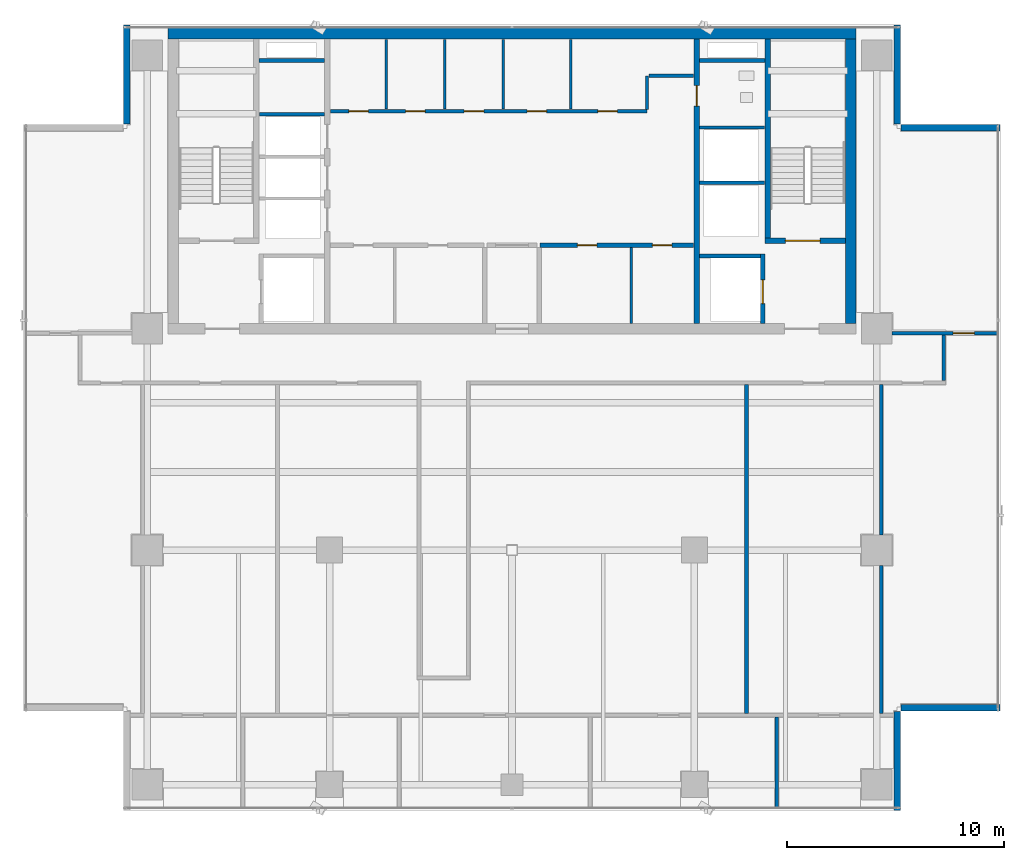
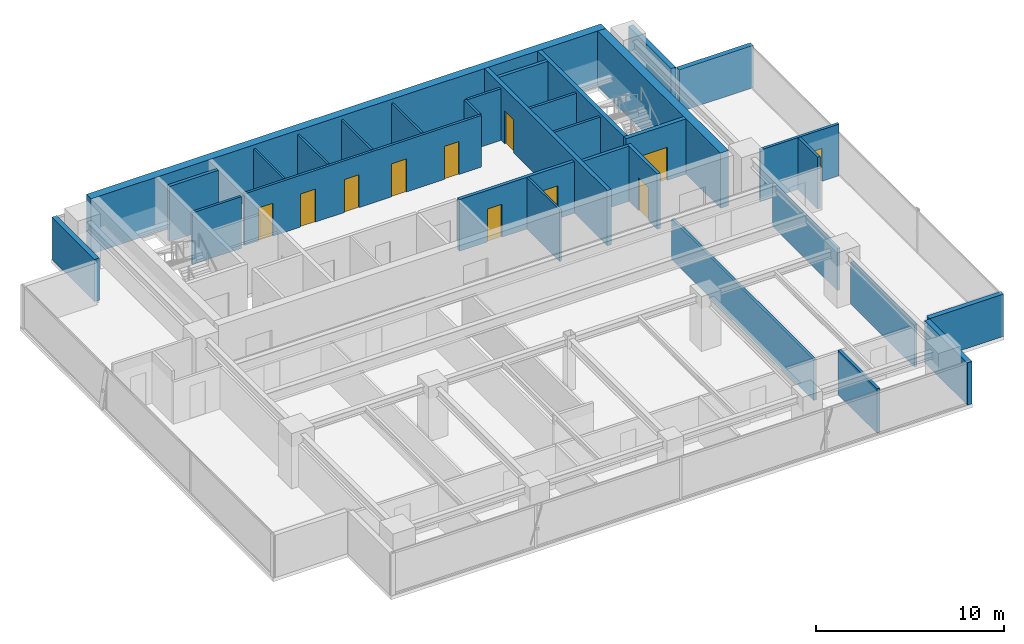
# One storey, part 21 of 27: 32 walls, 11 doors, 11 openings.
"""IFC4 building model written with IfcOpenShell, lengths in metres."""

import ifcopenshell
import ifcopenshell.guid

model = None  # the IFC model being written
_history = None  # IfcOwnerHistory: only IFC2X3 demands one
_inside = {}  # id of a spatial element -> (the spatial element, [elements in it])
_under = {}  # id of a project, library or spatial element -> (it, [spatial elements below it])
_declared = {}  # id of a project -> (the project, [libraries it declares])
_typed = {}  # id of a type object -> (the type object, [elements of that type])
_made_of = {}  # id of a material, layer set ... -> (it, [elements and type objects made of it])


def new_model(schema):
    """Start an empty IFC model of exactly this schema.

    Asked for "IFC4X3", IfcOpenShell would pick the latest addendum, in which some entities
    have other attributes; the version numbers below select the first issue.
    IFC2X3 requires an IfcOwnerHistory on every rooted entity: one is made here for all.
    """
    global model, _history
    if schema == "IFC4X3":
        model = ifcopenshell.file(schema_version=(4, 3, 0, 0))
    else:
        model = ifcopenshell.file(schema=schema)
    _inside.clear()
    _under.clear()
    _declared.clear()
    _typed.clear()
    _made_of.clear()
    _history = None
    if model.schema == "IFC2X3":
        org = make("IfcOrganization", Name="unknown")
        user = make(
            "IfcPersonAndOrganization",
            ThePerson=make("IfcPerson", FamilyName="unknown"),
            TheOrganization=org,
        )
        app = make(
            "IfcApplication",
            ApplicationDeveloper=org,
            Version="unknown",
            ApplicationFullName="unknown",
            ApplicationIdentifier="unknown",
        )
        _history = make(
            "IfcOwnerHistory",
            OwningUser=user,
            OwningApplication=app,
            ChangeAction="ADDED",
            CreationDate=0,
        )
    return model


def make(cls, **values):
    """One entity of the class cls with the attributes given. An attribute that is None is left unset."""
    return model.create_entity(
        cls, **{name: value for name, value in values.items() if value is not None}
    )


def rooted(cls, **values):
    """An entity with a GlobalId (a new one), such as an element, a storey or a relation."""
    return make(cls, GlobalId=ifcopenshell.guid.new(), OwnerHistory=_history, **values)


def si_unit(unit_type, name, prefix=None):
    """IfcSIUnit, for example si_unit("LENGTHUNIT", "METRE", prefix="MILLI")."""
    return make("IfcSIUnit", UnitType=unit_type, Prefix=prefix, Name=name)


def assignment(units):
    """IfcUnitAssignment: the units of a project."""
    return None if units is None else make("IfcUnitAssignment", Units=units)


def point(xyz):
    """IfcCartesianPoint."""
    return None if xyz is None else make("IfcCartesianPoint", Coordinates=xyz)


def direction(xyz):
    """IfcDirection."""
    return None if xyz is None else make("IfcDirection", DirectionRatios=xyz)


def frame(location, z_axis=None, x_axis=None):
    """IfcAxis2Placement3D, a coordinate frame: its origin and axes. An axis left out is left unset."""
    return make(
        "IfcAxis2Placement3D",
        Location=point(location),
        Axis=direction(z_axis),
        RefDirection=direction(x_axis),
    )


def frame_2d(location, x_axis=None):
    """IfcAxis2Placement2D, a coordinate frame in the plane: its origin and x axis."""
    return make(
        "IfcAxis2Placement2D", Location=point(location), RefDirection=direction(x_axis)
    )


def origin():
    """The frame at (0, 0, 0) with its axes left unset."""
    return frame((0.0, 0.0, 0.0))


def place(relative_to, where):
    """IfcLocalPlacement: puts the frame where relative to a parent placement (None: the world)."""
    return make(
        "IfcLocalPlacement", PlacementRelTo=relative_to, RelativePlacement=where
    )


def context(
    kind, dimensions, precision=None, world=None, true_north=None, identifier=None
):
    """IfcGeometricRepresentationContext, for example the 3D "Model" context."""
    return make(
        "IfcGeometricRepresentationContext",
        ContextIdentifier=identifier,
        ContextType=kind,
        CoordinateSpaceDimension=dimensions,
        Precision=precision,
        WorldCoordinateSystem=world,
        TrueNorth=true_north,
    )


def subcontext(parent, identifier, kind, view, scale=None):
    """IfcGeometricRepresentationSubContext, for example "Body" below "Model"."""
    return make(
        "IfcGeometricRepresentationSubContext",
        ContextIdentifier=identifier,
        ContextType=kind,
        ParentContext=parent,
        TargetScale=scale,
        TargetView=view,
    )


def project(units=None, contexts=None):
    """IfcProject with its units and contexts."""
    return rooted(
        "IfcProject",
        Name="project",
        RepresentationContexts=contexts,
        UnitsInContext=assignment(units),
    )


def spatial(cls, under=None, at=None, **own):
    """A site, building, storey or space (cls), placed at a placement, below another one or the project."""
    s = rooted(cls, ObjectPlacement=at, **own)
    if under is not None:
        _under.setdefault(under.id(), (under, []))[1].append(s)
    return s


def profile(cls, at=None, kind="AREA", **sizes):
    """A parametric profile (cls). Its sizes go by their IFC names, for example OverallWidth=200.0."""
    return make(cls, ProfileType=kind, Position=at, **sizes)


def rectangle(**sizes):
    """IfcRectangleProfileDef."""
    return profile("IfcRectangleProfileDef", **sizes)


def extrude(swept, where, along, depth):
    """IfcExtrudedAreaSolid: the profile swept, set in the frame where, extruded along a direction by depth."""
    return make(
        "IfcExtrudedAreaSolid",
        SweptArea=swept,
        Position=where,
        ExtrudedDirection=direction(along),
        Depth=depth,
    )


def shape(context_of_items, identifier, shape_type, items):
    """IfcShapeRepresentation: the items that make up one representation, for example the "Body"."""
    return make(
        "IfcShapeRepresentation",
        ContextOfItems=context_of_items,
        RepresentationIdentifier=identifier,
        RepresentationType=shape_type,
        Items=items,
    )


def source(mapping_origin, context_of_items, identifier, shape_type, items):
    """IfcRepresentationMap: a shape defined once, which mapped items show again and again."""
    return make(
        "IfcRepresentationMap",
        MappingOrigin=mapping_origin,
        MappedRepresentation=shape(context_of_items, identifier, shape_type, items),
    )


def transform(
    local_origin,
    x_axis=None,
    y_axis=None,
    z_axis=None,
    scale=None,
    scale2=None,
    scale3=None,
    uniform=True,
):
    """IfcCartesianTransformationOperator3D, or its non-uniform kind. x_axis, y_axis, z_axis: its Axis1, 2, 3."""
    if uniform:
        return make(
            "IfcCartesianTransformationOperator3D",
            Axis1=direction(x_axis),
            Axis2=direction(y_axis),
            LocalOrigin=point(local_origin),
            Scale=scale,
            Axis3=direction(z_axis),
        )
    return make(
        "IfcCartesianTransformationOperator3DnonUniform",
        Axis1=direction(x_axis),
        Axis2=direction(y_axis),
        LocalOrigin=point(local_origin),
        Scale=scale,
        Axis3=direction(z_axis),
        Scale2=scale2,
        Scale3=scale3,
    )


def mapped(mapping_source, mapping_target):
    """IfcMappedItem: shows the shape of a source again, moved by a transform."""
    return make(
        "IfcMappedItem", MappingSource=mapping_source, MappingTarget=mapping_target
    )


def material(Name=None, Category=None):
    """IfcMaterial."""
    return make("IfcMaterial", Name=Name, Category=Category)


def layer(
    of_material, thickness, ventilated=None, Name=None, Category=None, Priority=None
):
    """IfcMaterialLayer: one layer of a wall or slab, of a material (None: an air gap)."""
    return make(
        "IfcMaterialLayer",
        Material=of_material,
        LayerThickness=thickness,
        IsVentilated=ventilated,
        Name=Name,
        Category=Category,
        Priority=Priority,
    )


def layer_set(layers, Name=None):
    """IfcMaterialLayerSet."""
    return make("IfcMaterialLayerSet", MaterialLayers=layers, LayerSetName=Name)


def made_of(thing, what):
    """Note that an element or type object is made of a material, layer set ...; save() writes the relation."""
    if what is not None:
        _made_of.setdefault(what.id(), (what, []))[1].append(thing)
    return thing


def type_object(cls, material=None, **own):
    """A type object (cls), such as IfcWallType, which elements share."""
    return made_of(rooted(cls, **own), material)


def element(
    cls,
    number,
    at=None,
    inside=None,
    cuts=None,
    type_object=None,
    material=None,
    context=None,
    identifier="Body",
    shape_type=None,
    held_by="IfcProductDefinitionShape",
    body=None,
    shapes=None,
    **own,
):
    """One element of the class cls, such as IfcWall. Its Tag is "e" and its number.

    at: its placement. inside: the storey or other place that contains it. cuts: it is an
    opening in that element (IfcRelVoidsElement). A single representation is given by context,
    identifier, shape_type and body (its items); several are given by shapes. held_by: the class
    of the entity that holds the representations. save() writes the other relations.
    """
    e = rooted(cls, Tag="e%d" % number, ObjectPlacement=at, **own)
    if body is not None:
        shapes = [shape(context, identifier, shape_type, body)]
    if shapes is not None:
        e.Representation = make(held_by, Representations=shapes)
    if inside is not None:
        _inside.setdefault(inside.id(), (inside, []))[1].append(e)
    if cuts is not None:
        rooted(
            "IfcRelVoidsElement", RelatingBuildingElement=cuts, RelatedOpeningElement=e
        )
    if type_object is not None:
        _typed.setdefault(type_object.id(), (type_object, []))[1].append(e)
    return made_of(e, material)


def fill(opening, filler):
    """IfcRelFillsElement: the door or window that sits in an opening."""
    return rooted(
        "IfcRelFillsElement",
        RelatingOpeningElement=opening,
        RelatedBuildingElement=filler,
    )


def aggregate(whole, parts):
    """IfcRelAggregates: a whole, such as a stair, and the parts it consists of."""
    return rooted("IfcRelAggregates", RelatingObject=whole, RelatedObjects=parts)


def save(model, path):
    """Write the relations noted so far, then the file.

    IfcRelAggregates (storeys below a building ...), IfcRelContainedInSpatialStructure (elements
    in a storey), IfcRelDefinesByType, IfcRelAssociatesMaterial and IfcRelDeclares: one each for
    every whole, place, type object, material and project.
    """
    for whole, parts in _under.values():
        aggregate(whole, parts)
    for where, things in _inside.values():
        rooted(
            "IfcRelContainedInSpatialStructure",
            RelatedElements=things,
            RelatingStructure=where,
        )
    for kind, things in _typed.values():
        rooted("IfcRelDefinesByType", RelatedObjects=things, RelatingType=kind)
    for what, things in _made_of.values():
        rooted("IfcRelAssociatesMaterial", RelatedObjects=things, RelatingMaterial=what)
    for by, libraries in _declared.values():
        rooted("IfcRelDeclares", RelatingContext=by, RelatedDefinitions=libraries)
    model.write(path)


model = new_model("IFC4")

# Units and contexts
model_context = context("Model", 3, precision=1e-05, world=origin(), true_north=direction((0.0, 1.0)))
body_context = subcontext(model_context, "Body", "Model", "MODEL_VIEW")
ifc_project = project(units=[si_unit("LENGTHUNIT", "METRE"), si_unit("AREAUNIT", "SQUARE_METRE"), si_unit("VOLUMEUNIT", "CUBIC_METRE"), si_unit("PLANEANGLEUNIT", "RADIAN"), si_unit("MASSUNIT", "GRAM", prefix="KILO")], contexts=[model_context])

# Site, building, storey
site_placement = place(None, origin())
site = spatial("IfcSite", under=ifc_project, at=site_placement, CompositionType="ELEMENT")
building_placement = place(site_placement, origin())
building = spatial("IfcBuilding", under=site, at=building_placement, Name="Sumidabori Civic Tower", CompositionType="ELEMENT")
storey_placement = place(building_placement, frame((0.0, 0.0, 257.60009765625)))
storey = spatial("IfcBuildingStorey", under=building, at=storey_placement, Name="L67", CompositionType="ELEMENT", Elevation=257.60009765625)

# Walls
ifc_material_1 = material(Name="Concrete C50/60", Category="concrete")
ifc_layer_1 = layer(ifc_material_1, 0.199951171875, Name="Concrete C50/60")
ifc_layer_set_1 = layer_set([ifc_layer_1], Name="Concrete C50/60")
wall_type_1 = type_object("IfcWallType", Name="WL-SHAFT-200", PredefinedType="SHEAR", material=ifc_layer_set_1)
shared_shape_1 = source(origin(), body_context, "Body", "SweptSolid", [
    extrude(rectangle(XDim=2.824951171875, YDim=0.199951171875, at=frame_2d((1.41259765625, 0.0))), origin(), (0.0, 0.0, 1.0), 3.599853515625),
])
wall_1_placement = place(storey_placement, frame((8.625, 13.550048828125, 0.0), z_axis=(0.0, 0.0, 1.0), x_axis=(1.0, 0.0, 0.0)))
element("IfcWall", 1, at=wall_1_placement, inside=storey, type_object=wall_type_1, Name="Core Shear Wall L67 EL2-N", PredefinedType="SHEAR", context=body_context, shape_type="MappedRepresentation", body=[
    mapped(shared_shape_1, transform((0.0, 0.0, 0.0), x_axis=(1.0, 0.0, 0.0), y_axis=(0.0, 1.0, 0.0), z_axis=(0.0, 0.0, 1.0), scale=1.0)),
])
shared_shape_2 = source(origin(), body_context, "Body", "SweptSolid", [
    extrude(rectangle(XDim=3.02001953125, YDim=0.199951171875, at=frame_2d((1.510009765625, 0.0))), origin(), (0.0, 0.0, 1.0), 3.599853515625),
])
for number, where, z_axis, x_axis, name in (
    (2, (-11.64501953125, 22.550048828125, 0.0), (0.0, 0.0, 1.0), (1.0, 0.0, 0.0), "Core Shear Wall L67 RIS1-S"),
    (3, (8.625, 22.550048828125, 0.0), (0.0, 0.0, 1.0), (1.0, 0.0, 0.0), "Core Shear Wall L67 RIS2-S"),
):
    element("IfcWall", number, at=place(storey_placement, frame(where, z_axis=z_axis, x_axis=x_axis)), inside=storey, type_object=wall_type_1, Name=name, PredefinedType="SHEAR", context=body_context, shape_type="MappedRepresentation", body=[
        mapped(shared_shape_2, transform((0.0, 0.0, 0.0), x_axis=(1.0, 0.0, 0.0), y_axis=(0.0, 1.0, 0.0), z_axis=(0.0, 0.0, 1.0), scale=1.0)),
    ])
ifc_layer_2 = layer(ifc_material_1, 0.5, Name="Concrete C50/60")
ifc_layer_set_2 = layer_set([ifc_layer_2], Name="Concrete C50/60")
wall_type_2 = type_object("IfcWallType", Name="WL-CORE-500", PredefinedType="SHEAR", material=ifc_layer_set_2)
shared_shape_3 = source(origin(), body_context, "Body", "SweptSolid", [
    extrude(rectangle(XDim=31.7001953125, YDim=0.5, at=frame_2d((15.85009765625, 0.0))), origin(), (0.0, 0.0, 1.0), 3.599853515625),
])
wall_2_placement = place(storey_placement, frame((-15.85009765625, 23.800048828125, 0.0), z_axis=(0.0, 0.0, 1.0), x_axis=(1.0, 0.0, 0.0)))
element("IfcWall", 4, at=wall_2_placement, inside=storey, type_object=wall_type_2, Name="Core Shear Wall L67 N", PredefinedType="SHEAR", context=body_context, shape_type="MappedRepresentation", body=[
    mapped(shared_shape_3, transform((0.0, 0.0, 0.0), x_axis=(1.0, 0.0, 0.0), y_axis=(0.0, 1.0, 0.0), z_axis=(0.0, 0.0, 1.0), scale=1.0)),
])
shared_shape_4 = source(origin(), body_context, "Body", "SweptSolid", [
    extrude(rectangle(XDim=13.10009765625, YDim=0.5, at=frame_2d((6.550048828125, 0.0))), origin(), (0.0, 0.0, 1.0), 3.599853515625),
])
wall_3_placement = place(storey_placement, frame((15.60009765625, 10.449951171875, 0.0), z_axis=(0.0, 0.0, 1.0), x_axis=(0.0, 1.0, 0.0)))
element("IfcWall", 5, at=wall_3_placement, inside=storey, type_object=wall_type_2, Name="Core Shear Wall L67 E", PredefinedType="SHEAR", context=body_context, shape_type="MappedRepresentation", body=[
    mapped(shared_shape_4, transform((0.0, 0.0, 0.0), x_axis=(1.0, 0.0, 0.0), y_axis=(0.0, 1.0, 0.0), z_axis=(0.0, 0.0, 1.0), scale=1.0)),
])

# Wall, opening, door
ifc_layer_3 = layer(ifc_material_1, 0.25, Name="Concrete C50/60")
ifc_layer_set_3 = layer_set([ifc_layer_3], Name="Concrete C50/60")
wall_type_3 = type_object("IfcWallType", Name="WL-SHAFT-250", PredefinedType="SHEAR", material=ifc_layer_set_3)
shared_shape_5 = source(origin(), body_context, "Body", "SweptSolid", [
    extrude(rectangle(XDim=13.10009765625, YDim=0.25, at=frame_2d((6.550048828125, 0.0))), origin(), (0.0, 0.0, 1.0), 3.599853515625),
])
wall_4_placement = place(storey_placement, frame((8.5, 10.449951171875, 0.0), z_axis=(0.0, 0.0, 1.0), x_axis=(0.0, 1.0, 0.0)))
wall_4 = element("IfcWall", 6, at=wall_4_placement, inside=storey, type_object=wall_type_3, Name="Core Shear Wall L67 WEB-E", PredefinedType="SHEAR", context=body_context, shape_type="MappedRepresentation", body=[
    mapped(shared_shape_5, transform((0.0, 0.0, 0.0), x_axis=(1.0, 0.0, 0.0), y_axis=(0.0, 1.0, 0.0), z_axis=(0.0, 0.0, 1.0), scale=1.0)),
])
opening_1_placement = place(wall_4_placement, frame((10.0, 0.0, 0.0)))
opening_1 = element("IfcOpeningElement", 7, at=opening_1_placement, cuts=wall_4, Name="Opening DR-2", PredefinedType="OPENING", context=body_context, shape_type="SweptSolid", body=[
    extrude(rectangle(XDim=0.949951171875, YDim=2.14990234375, at=frame_2d((0.47509765625, 1.074951171875))), frame((0.0, 0.136962890625, 0.0), z_axis=(0.0, -1.0, 0.0), x_axis=(1.0, 0.0, 0.0)), (0.0, 0.0, 1.0), 0.27392578125),
])
ifc_material_2 = material(Name="Japanese Hinoki Timber", Category="wood")
door_type_1 = type_object("IfcDoorType", Name="DR-INT-950", OperationType="NOTDEFINED", PredefinedType="DOOR", material=ifc_material_2)
shared_shape_6 = source(origin(), body_context, "Body", "SweptSolid", [
    extrude(rectangle(XDim=0.949951171875, YDim=2.14990234375, at=frame_2d((0.47509765625, 1.074951171875))), frame((0.0, 0.02490234375, 0.0), z_axis=(0.0, -1.0, 0.0), x_axis=(1.0, 0.0, 0.0)), (0.0, 0.0, 1.0), 0.050048828125),
])
door_1_placement = place(opening_1_placement, origin())
door_1 = element("IfcDoor", 8, at=door_1_placement, inside=storey, type_object=door_type_1, Name="Door DR:L67:WC-ACC", OperationType="SINGLE_SWING_RIGHT", OverallHeight=2.14990234375, OverallWidth=0.949951171875, PredefinedType="DOOR", context=body_context, shape_type="MappedRepresentation", body=[
    mapped(shared_shape_6, transform((0.0, 0.0, 0.0), x_axis=(1.0, 0.0, 0.0), y_axis=(0.0, 1.0, 0.0), z_axis=(0.0, 0.0, 1.0), scale=1.0)),
])
fill(opening_1, door_1)

shared_shape_7 = source(origin(), body_context, "Body", "SweptSolid", [
    extrude(rectangle(XDim=3.705078125, YDim=0.25, at=frame_2d((1.8525390625, 0.0))), origin(), (0.0, 0.0, 1.0), 3.599853515625),
])
wall_5_placement = place(storey_placement, frame((11.64501953125, 14.25, 0.0), z_axis=(0.0, 0.0, 1.0), x_axis=(1.0, 0.0, 0.0)))
wall_5 = element("IfcWall", 9, at=wall_5_placement, inside=storey, type_object=wall_type_3, Name="Core Shear Wall L67 ST2-S", PredefinedType="SHEAR", context=body_context, shape_type="MappedRepresentation", body=[
    mapped(shared_shape_7, transform((0.0, 0.0, 0.0), x_axis=(1.0, 0.0, 0.0), y_axis=(0.0, 1.0, 0.0), z_axis=(0.0, 0.0, 1.0), scale=1.0)),
])
opening_2_placement = place(wall_5_placement, frame((0.949951171875, 0.0, 0.0)))
opening_2 = element("IfcOpeningElement", 10, at=opening_2_placement, cuts=wall_5, Name="Opening DR-FD4", PredefinedType="OPENING", context=body_context, shape_type="SweptSolid", body=[
    extrude(rectangle(XDim=1.60009765625, YDim=2.14990234375, at=frame_2d((0.800048828125, 1.074951171875))), frame((0.0, 0.136962890625, 0.0), z_axis=(0.0, -1.0, 0.0), x_axis=(1.0, 0.0, 0.0)), (0.0, 0.0, 1.0), 0.27392578125),
])
ifc_material_3 = material(Name="Steel SN490", Category="steel")
door_type_2 = type_object("IfcDoorType", Name="DR-FD4", OperationType="DOUBLE_DOOR_SINGLE_SWING", PredefinedType="DOOR", material=ifc_material_3)
shared_shape_8 = source(origin(), body_context, "Body", "SweptSolid", [
    extrude(rectangle(XDim=1.60009765625, YDim=2.14990234375, at=frame_2d((0.800048828125, 1.074951171875))), frame((0.0, 0.02490234375, 0.0), z_axis=(0.0, -1.0, 0.0), x_axis=(1.0, 0.0, 0.0)), (0.0, 0.0, 1.0), 0.050048828125),
])
door_2_placement = place(opening_2_placement, origin())
door_2 = element("IfcDoor", 11, at=door_2_placement, inside=storey, type_object=door_type_2, Name="Door DR:L67:ST2", OperationType="DOUBLE_DOOR_SINGLE_SWING", OverallHeight=2.14990234375, OverallWidth=1.60009765625, PredefinedType="DOOR", context=body_context, shape_type="MappedRepresentation", body=[
    mapped(shared_shape_8, transform((0.0, 0.0, 0.0), x_axis=(1.0, 0.0, 0.0), y_axis=(0.0, 1.0, 0.0), z_axis=(0.0, 0.0, 1.0), scale=1.0)),
])
fill(opening_2, door_2)

# Wall
shared_shape_9 = source(origin(), body_context, "Body", "SweptSolid", [
    extrude(rectangle(XDim=9.175048828125, YDim=0.25, at=frame_2d((4.58740234375, 0.0))), origin(), (0.0, 0.0, 1.0), 3.599853515625),
])
wall_6_placement = place(storey_placement, frame((11.77001953125, 14.375, 0.0), z_axis=(0.0, 0.0, 1.0), x_axis=(0.0, 1.0, 0.0)))
element("IfcWall", 12, at=wall_6_placement, inside=storey, type_object=wall_type_3, Name="Core Shear Wall L67 ST2-W", PredefinedType="SHEAR", context=body_context, shape_type="MappedRepresentation", body=[
    mapped(shared_shape_9, transform((0.0, 0.0, 0.0), x_axis=(1.0, 0.0, 0.0), y_axis=(0.0, 1.0, 0.0), z_axis=(0.0, 0.0, 1.0), scale=1.0)),
])

# Wall, opening, door
shared_shape_10 = source(origin(), body_context, "Body", "SweptSolid", [
    extrude(rectangle(XDim=3.199951171875, YDim=0.199951171875, at=frame_2d((1.60009765625, 0.0))), origin(), (0.0, 0.0, 1.0), 3.599853515625),
])
wall_7_placement = place(storey_placement, frame((11.550048828125, 10.449951171875, 0.0), z_axis=(0.0, 0.0, 1.0), x_axis=(0.0, 1.0, 0.0)))
wall_7 = element("IfcWall", 13, at=wall_7_placement, inside=storey, type_object=wall_type_1, Name="Core Shear Wall L67 EL2-E", PredefinedType="SHEAR", context=body_context, shape_type="MappedRepresentation", body=[
    mapped(shared_shape_10, transform((0.0, 0.0, 0.0), x_axis=(1.0, 0.0, 0.0), y_axis=(0.0, 1.0, 0.0), z_axis=(0.0, 0.0, 1.0), scale=1.0)),
])
opening_3_placement = place(wall_7_placement, frame((0.89990234375, 0.0, 0.0)))
opening_3 = element("IfcOpeningElement", 14, at=opening_3_placement, cuts=wall_7, Name="Opening LD-2", PredefinedType="OPENING", context=body_context, shape_type="SweptSolid", body=[
    extrude(rectangle(XDim=1.10009765625, YDim=2.14990234375, at=frame_2d((0.550048828125, 1.074951171875))), frame((0.0, 0.11181640625, 0.0), z_axis=(0.0, -1.0, 0.0), x_axis=(1.0, 0.0, 0.0)), (0.0, 0.0, 1.0), 0.223876953125),
])
ifc_material_4 = material(Name="Stainless Steel Hairline Finish", Category="steel")
door_type_3 = type_object("IfcDoorType", Name="DR-LD2", OperationType="DOUBLE_DOOR_SLIDING", PredefinedType="DOOR", material=ifc_material_4)
shared_shape_11 = source(origin(), body_context, "Body", "SweptSolid", [
    extrude(rectangle(XDim=1.10009765625, YDim=2.14990234375, at=frame_2d((0.550048828125, 1.074951171875))), frame((0.0, 0.02490234375, 0.0), z_axis=(0.0, -1.0, 0.0), x_axis=(1.0, 0.0, 0.0)), (0.0, 0.0, 1.0), 0.050048828125),
])
door_3_placement = place(opening_3_placement, origin())
door_3 = element("IfcDoor", 15, at=door_3_placement, inside=storey, type_object=door_type_3, Name="Door DR:L67:LD-EL2", OperationType="DOUBLE_DOOR_SLIDING", OverallHeight=2.14990234375, OverallWidth=1.10009765625, PredefinedType="DOOR", context=body_context, shape_type="MappedRepresentation", body=[
    mapped(shared_shape_11, transform((0.0, 0.0, 0.0), x_axis=(1.0, 0.0, 0.0), y_axis=(0.0, 1.0, 0.0), z_axis=(0.0, 0.0, 1.0), scale=1.0)),
])
fill(opening_3, door_3)

# Walls
ifc_material_5 = material(Name="Precast concrete C40/50", Category="concrete")
ifc_layer_4 = layer(ifc_material_5, 0.300048828125, Name="Precast concrete C40/50")
ifc_layer_set_4 = layer_set([ifc_layer_4], Name="Precast concrete C40/50")
wall_type_4 = type_object("IfcWallType", Name="WL-EXT-POD300", PredefinedType="STANDARD", material=ifc_layer_set_4)
shared_shape_12 = source(origin(), body_context, "Body", "SweptSolid", [
    extrude(rectangle(XDim=4.56005859375, YDim=0.300048828125, at=frame_2d((2.280029296875, 0.0))), origin(), (0.0, 0.0, 1.0), 2.75),
])
for number, where, z_axis, x_axis, name in (
    (16, (17.75, -11.97998046875, 0.0), (0.0, 0.0, 1.0), (0.0, 1.0, 0.0), "Notched Corner Spandrel Band L67-02"),
    (17, (17.919921875, -7.25, 0.0), (0.0, 0.0, 1.0), (1.0, 0.0, 0.0), "Notched Corner Spandrel Band L67-03"),
    (18, (22.47998046875, 19.449951171875, 0.0), (0.0, 0.0, 1.0), (-1.0, 0.0, 0.0), "Notched Corner Spandrel Band L67-05"),
):
    element("IfcWall", number, at=place(storey_placement, frame(where, z_axis=z_axis, x_axis=x_axis)), inside=storey, type_object=wall_type_4, Name=name, PredefinedType="STANDARD", context=body_context, shape_type="MappedRepresentation", body=[
        mapped(shared_shape_12, transform((0.0, 0.0, 0.0), x_axis=(1.0, 0.0, 0.0), y_axis=(0.0, 1.0, 0.0), z_axis=(0.0, 0.0, 1.0), scale=1.0)),
    ])
shared_shape_13 = source(origin(), body_context, "Body", "SweptSolid", [
    extrude(rectangle(XDim=4.559814453125, YDim=0.300048828125, at=frame_2d((2.27978515625, 0.0))), origin(), (0.0, 0.0, 1.0), 2.75),
])
for number, where, z_axis, x_axis, name in (
    (19, (17.75, 19.6201171875, 0.0), (0.0, 0.0, 1.0), (0.0, 1.0, 0.0), "Notched Corner Spandrel Band L67-06"),
    (20, (-17.75, 24.179931640625, 0.0), (0.0, 0.0, 1.0), (0.0, -1.0, 0.0), "Notched Corner Spandrel Band L67-08"),
):
    element("IfcWall", number, at=place(storey_placement, frame(where, z_axis=z_axis, x_axis=x_axis)), inside=storey, type_object=wall_type_4, Name=name, PredefinedType="STANDARD", context=body_context, shape_type="MappedRepresentation", body=[
        mapped(shared_shape_13, transform((0.0, 0.0, 0.0), x_axis=(1.0, 0.0, 0.0), y_axis=(0.0, 1.0, 0.0), z_axis=(0.0, 0.0, 1.0), scale=1.0)),
    ])
ifc_material_6 = material(Name="Gypsum Plasterboard Acoustic Partition")
ifc_layer_5 = layer(ifc_material_6, 0.14990234375, Name="Gypsum Plasterboard Acoustic Partition")
ifc_layer_set_5 = layer_set([ifc_layer_5], Name="Gypsum Plasterboard Acoustic Partition")
wall_type_5 = type_object("IfcWallType", Name="WL-PART-150", PredefinedType="PARTITIONING", material=ifc_layer_set_5)
shared_shape_14 = source(origin(), body_context, "Body", "SweptSolid", [
    extrude(rectangle(XDim=3.010009765625, YDim=0.14990234375, at=frame_2d((1.5048828125, 0.0))), origin(), (0.0, 0.0, 1.0), 3.369873046875),
])
for number, where, z_axis, x_axis, name in (
    (21, (-11.639892578125, 20.080078125, 0.0), (0.0, 0.0, 1.0), (1.0, 0.0, 0.0), "Interior Partition WL:L67:DIV-PLH3"),
    (22, (8.6298828125, 16.919921875, 0.0), (0.0, 0.0, 1.0), (1.0, 0.0, 0.0), "Interior Partition WL:L67:DIV-OBS1"),
    (23, (8.6298828125, 19.469970703125, 0.0), (0.0, 0.0, 1.0), (1.0, 0.0, 0.0), "Interior Partition WL:L67:DIV-OBS2"),
):
    element("IfcWall", number, at=place(storey_placement, frame(where, z_axis=z_axis, x_axis=x_axis)), inside=storey, type_object=wall_type_5, Name=name, PredefinedType="PARTITIONING", context=body_context, shape_type="MappedRepresentation", body=[
        mapped(shared_shape_14, transform((0.0, 0.0, 0.0), x_axis=(1.0, 0.0, 0.0), y_axis=(0.0, 1.0, 0.0), z_axis=(0.0, 0.0, 1.0), scale=1.0)),
    ])

# Wall, openings, doors
ifc_material_7 = material(Name="Gypsum Plasterboard Fire Partition")
ifc_layer_6 = layer(ifc_material_7, 0.199951171875, Name="Gypsum Plasterboard Fire Partition")
ifc_layer_set_6 = layer_set([ifc_layer_6], Name="Gypsum Plasterboard Fire Partition")
wall_type_6 = type_object("IfcWallType", Name="WL-PART-FIRE", PredefinedType="PARTITIONING", material=ifc_layer_set_6)
shared_shape_15 = source(origin(), body_context, "Body", "SweptSolid", [
    extrude(rectangle(XDim=7.070068359375, YDim=0.199951171875, at=frame_2d((3.53515625, 0.0))), origin(), (0.0, 0.0, 1.0), 3.369873046875),
])
wall_8_placement = place(storey_placement, frame((1.300048828125, 14.050048828125, 0.0), z_axis=(0.0, 0.0, 1.0), x_axis=(1.0, 0.0, 0.0)))
wall_8 = element("IfcWall", 24, at=wall_8_placement, inside=storey, type_object=wall_type_6, Name="Interior Partition WL:L67:CBAND-SE", PredefinedType="PARTITIONING", context=body_context, shape_type="MappedRepresentation", body=[
    mapped(shared_shape_15, transform((0.0, 0.0, 0.0), x_axis=(1.0, 0.0, 0.0), y_axis=(0.0, 1.0, 0.0), z_axis=(0.0, 0.0, 1.0), scale=1.0)),
])
opening_4_placement = place(wall_8_placement, frame((1.7099609375, 0.0, 0.0)))
opening_4 = element("IfcOpeningElement", 25, at=opening_4_placement, cuts=wall_8, Name="Opening DR-1", PredefinedType="OPENING", context=body_context, shape_type="SweptSolid", body=[
    extrude(rectangle(XDim=0.89990234375, YDim=2.14990234375, at=frame_2d((0.449951171875, 1.074951171875))), frame((0.0, 0.11181640625, 0.0), z_axis=(0.0, -1.0, 0.0), x_axis=(1.0, 0.0, 0.0)), (0.0, 0.0, 1.0), 0.223876953125),
])
opening_5_placement = place(wall_8_placement, frame((5.159912109375, 0.0, 0.0)))
opening_5 = element("IfcOpeningElement", 26, at=opening_5_placement, cuts=wall_8, Name="Opening DR-1", PredefinedType="OPENING", context=body_context, shape_type="SweptSolid", body=[
    extrude(rectangle(XDim=0.89990234375, YDim=2.14990234375, at=frame_2d((0.449951171875, 1.074951171875))), frame((0.0, 0.11181640625, 0.0), z_axis=(0.0, -1.0, 0.0), x_axis=(1.0, 0.0, 0.0)), (0.0, 0.0, 1.0), 0.223876953125),
])
door_type_4 = type_object("IfcDoorType", Name="DR-INT-900", OperationType="NOTDEFINED", PredefinedType="DOOR", material=ifc_material_2)
shared_shape_16 = source(origin(), body_context, "Body", "SweptSolid", [
    extrude(rectangle(XDim=0.89990234375, YDim=2.14990234375, at=frame_2d((0.449951171875, 1.074951171875))), frame((0.0, 0.02490234375, 0.0), z_axis=(0.0, -1.0, 0.0), x_axis=(1.0, 0.0, 0.0)), (0.0, 0.0, 1.0), 0.050048828125),
])
door_4_placement = place(opening_4_placement, origin())
door_4 = element("IfcDoor", 27, at=door_4_placement, inside=storey, type_object=door_type_4, Name="Door DR:L67:REC-B2A", OperationType="SINGLE_SWING_LEFT", OverallHeight=2.14990234375, OverallWidth=0.89990234375, PredefinedType="DOOR", context=body_context, shape_type="MappedRepresentation", body=[
    mapped(shared_shape_16, transform((0.0, 0.0, 0.0), x_axis=(1.0, 0.0, 0.0), y_axis=(0.0, 1.0, 0.0), z_axis=(0.0, 0.0, 1.0), scale=1.0)),
])
fill(opening_4, door_4)
door_5_placement = place(opening_5_placement, origin())
door_5 = element("IfcDoor", 28, at=door_5_placement, inside=storey, type_object=door_type_4, Name="Door DR:L67:REC-B2B", OperationType="SINGLE_SWING_RIGHT", OverallHeight=2.14990234375, OverallWidth=0.89990234375, PredefinedType="DOOR", context=body_context, shape_type="MappedRepresentation", body=[
    mapped(shared_shape_16, transform((0.0, 0.0, 0.0), x_axis=(1.0, 0.0, 0.0), y_axis=(0.0, 1.0, 0.0), z_axis=(0.0, 0.0, 1.0), scale=1.0)),
])
fill(opening_5, door_5)

shared_shape_17 = source(origin(), body_context, "Body", "SweptSolid", [
    extrude(rectangle(XDim=14.590087890625, YDim=0.14990234375, at=frame_2d((7.294921875, 0.0))), origin(), (0.0, 0.0, 1.0), 3.369873046875),
])
wall_9_placement = place(storey_placement, frame((-8.3701171875, 20.219970703125, 0.0), z_axis=(0.0, 0.0, 1.0), x_axis=(1.0, 0.0, 0.0)))
wall_9 = element("IfcWall", 29, at=wall_9_placement, inside=storey, type_object=wall_type_5, Name="Interior Partition WL:L67:CBAND-M", PredefinedType="PARTITIONING", context=body_context, shape_type="MappedRepresentation", body=[
    mapped(shared_shape_17, transform((0.0, 0.0, 0.0), x_axis=(1.0, 0.0, 0.0), y_axis=(0.0, 1.0, 0.0), z_axis=(0.0, 0.0, 1.0), scale=1.0)),
])
opening_6_placement = place(wall_9_placement, frame((0.860107421875, 0.0, 0.0)))
opening_6 = element("IfcOpeningElement", 30, at=opening_6_placement, cuts=wall_9, Name="Opening DR-1", PredefinedType="OPENING", context=body_context, shape_type="SweptSolid", body=[
    extrude(rectangle(XDim=0.89990234375, YDim=2.14990234375, at=frame_2d((0.449951171875, 1.074951171875))), frame((0.0, 0.0869140625, 0.0), z_axis=(0.0, -1.0, 0.0), x_axis=(1.0, 0.0, 0.0)), (0.0, 0.0, 1.0), 0.173828125),
])
opening_7_placement = place(wall_9_placement, frame((3.469970703125, 0.0, 0.0)))
opening_7 = element("IfcOpeningElement", 31, at=opening_7_placement, cuts=wall_9, Name="Opening DR-1", PredefinedType="OPENING", context=body_context, shape_type="SweptSolid", body=[
    extrude(rectangle(XDim=0.89990234375, YDim=2.14990234375, at=frame_2d((0.449951171875, 1.074951171875))), frame((0.0, 0.0869140625, 0.0), z_axis=(0.0, -1.0, 0.0), x_axis=(1.0, 0.0, 0.0)), (0.0, 0.0, 1.0), 0.173828125),
])
opening_8_placement = place(wall_9_placement, frame((6.169921875, 0.0, 0.0)))
opening_8 = element("IfcOpeningElement", 32, at=opening_8_placement, cuts=wall_9, Name="Opening DR-1", PredefinedType="OPENING", context=body_context, shape_type="SweptSolid", body=[
    extrude(rectangle(XDim=0.89990234375, YDim=2.14990234375, at=frame_2d((0.449951171875, 1.074951171875))), frame((0.0, 0.0869140625, 0.0), z_axis=(0.0, -1.0, 0.0), x_axis=(1.0, 0.0, 0.0)), (0.0, 0.0, 1.0), 0.173828125),
])
opening_9_placement = place(wall_9_placement, frame((9.070068359375, 0.0, 0.0)))
opening_9 = element("IfcOpeningElement", 33, at=opening_9_placement, cuts=wall_9, Name="Opening DR-1", PredefinedType="OPENING", context=body_context, shape_type="SweptSolid", body=[
    extrude(rectangle(XDim=0.89990234375, YDim=2.14990234375, at=frame_2d((0.449951171875, 1.074951171875))), frame((0.0, 0.0869140625, 0.0), z_axis=(0.0, -1.0, 0.0), x_axis=(1.0, 0.0, 0.0)), (0.0, 0.0, 1.0), 0.173828125),
])
opening_10_placement = place(wall_9_placement, frame((12.320068359375, 0.0, 0.0)))
opening_10 = element("IfcOpeningElement", 34, at=opening_10_placement, cuts=wall_9, Name="Opening DR-1", PredefinedType="OPENING", context=body_context, shape_type="SweptSolid", body=[
    extrude(rectangle(XDim=0.89990234375, YDim=2.14990234375, at=frame_2d((0.449951171875, 1.074951171875))), frame((0.0, 0.0869140625, 0.0), z_axis=(0.0, -1.0, 0.0), x_axis=(1.0, 0.0, 0.0)), (0.0, 0.0, 1.0), 0.173828125),
])
door_6_placement = place(opening_6_placement, origin())
door_6 = element("IfcDoor", 35, at=door_6_placement, inside=storey, type_object=door_type_4, Name="Door DR:L67:CB-1", OperationType="SINGLE_SWING_LEFT", OverallHeight=2.14990234375, OverallWidth=0.89990234375, PredefinedType="DOOR", context=body_context, shape_type="MappedRepresentation", body=[
    mapped(shared_shape_16, transform((0.0, 0.0, 0.0), x_axis=(1.0, 0.0, 0.0), y_axis=(0.0, 1.0, 0.0), z_axis=(0.0, 0.0, 1.0), scale=1.0)),
])
fill(opening_6, door_6)
door_7_placement = place(opening_7_placement, origin())
door_7 = element("IfcDoor", 36, at=door_7_placement, inside=storey, type_object=door_type_4, Name="Door DR:L67:CB-2", OperationType="SINGLE_SWING_RIGHT", OverallHeight=2.14990234375, OverallWidth=0.89990234375, PredefinedType="DOOR", context=body_context, shape_type="MappedRepresentation", body=[
    mapped(shared_shape_16, transform((0.0, 0.0, 0.0), x_axis=(1.0, 0.0, 0.0), y_axis=(0.0, 1.0, 0.0), z_axis=(0.0, 0.0, 1.0), scale=1.0)),
])
fill(opening_7, door_7)
door_8_placement = place(opening_8_placement, origin())
door_8 = element("IfcDoor", 37, at=door_8_placement, inside=storey, type_object=door_type_4, Name="Door DR:L67:CB-3", OperationType="SINGLE_SWING_LEFT", OverallHeight=2.14990234375, OverallWidth=0.89990234375, PredefinedType="DOOR", context=body_context, shape_type="MappedRepresentation", body=[
    mapped(shared_shape_16, transform((0.0, 0.0, 0.0), x_axis=(1.0, 0.0, 0.0), y_axis=(0.0, 1.0, 0.0), z_axis=(0.0, 0.0, 1.0), scale=1.0)),
])
fill(opening_8, door_8)
door_9_placement = place(opening_9_placement, origin())
door_9 = element("IfcDoor", 38, at=door_9_placement, inside=storey, type_object=door_type_4, Name="Door DR:L67:CB-4", OperationType="SINGLE_SWING_RIGHT", OverallHeight=2.14990234375, OverallWidth=0.89990234375, PredefinedType="DOOR", context=body_context, shape_type="MappedRepresentation", body=[
    mapped(shared_shape_16, transform((0.0, 0.0, 0.0), x_axis=(1.0, 0.0, 0.0), y_axis=(0.0, 1.0, 0.0), z_axis=(0.0, 0.0, 1.0), scale=1.0)),
])
fill(opening_9, door_9)
door_10_placement = place(opening_10_placement, origin())
door_10 = element("IfcDoor", 39, at=door_10_placement, inside=storey, type_object=door_type_4, Name="Door DR:L67:CB-5", OperationType="SINGLE_SWING_LEFT", OverallHeight=2.14990234375, OverallWidth=0.89990234375, PredefinedType="DOOR", context=body_context, shape_type="MappedRepresentation", body=[
    mapped(shared_shape_16, transform((0.0, 0.0, 0.0), x_axis=(1.0, 0.0, 0.0), y_axis=(0.0, 1.0, 0.0), z_axis=(0.0, 0.0, 1.0), scale=1.0)),
])
fill(opening_10, door_10)

# Walls
shared_shape_18 = source(origin(), body_context, "Body", "SweptSolid", [
    extrude(rectangle(XDim=1.550048828125, YDim=0.14990234375, at=frame_2d((0.77490234375, 0.0))), origin(), (0.0, 0.0, 1.0), 3.369873046875),
])
wall_10_placement = place(storey_placement, frame((6.219970703125, 20.300048828125, 0.0), z_axis=(0.0, 0.0, 1.0), x_axis=(0.0, 1.0, 0.0)))
element("IfcWall", 40, at=wall_10_placement, inside=storey, type_object=wall_type_5, Name="Interior Partition WL:L67:CBAND-ME1", PredefinedType="PARTITIONING", context=body_context, shape_type="MappedRepresentation", body=[
    mapped(shared_shape_18, transform((0.0, 0.0, 0.0), x_axis=(1.0, 0.0, 0.0), y_axis=(0.0, 1.0, 0.0), z_axis=(0.0, 0.0, 1.0), scale=1.0)),
])
shared_shape_19 = source(origin(), body_context, "Body", "SweptSolid", [
    extrude(rectangle(XDim=2.070068359375, YDim=0.14990234375, at=frame_2d((1.03515625, 0.0))), origin(), (0.0, 0.0, 1.0), 3.369873046875),
])
wall_11_placement = place(storey_placement, frame((6.300048828125, 21.85009765625, 0.0), z_axis=(0.0, 0.0, 1.0), x_axis=(1.0, 0.0, 0.0)))
element("IfcWall", 41, at=wall_11_placement, inside=storey, type_object=wall_type_5, Name="Interior Partition WL:L67:CBAND-ME2", PredefinedType="PARTITIONING", context=body_context, shape_type="MappedRepresentation", body=[
    mapped(shared_shape_19, transform((0.0, 0.0, 0.0), x_axis=(1.0, 0.0, 0.0), y_axis=(0.0, 1.0, 0.0), z_axis=(0.0, 0.0, 1.0), scale=1.0)),
])
ifc_layer_7 = layer(ifc_material_6, 0.1201171875, Name="Gypsum Plasterboard Acoustic Partition")
ifc_layer_set_7 = layer_set([ifc_layer_7], Name="Gypsum Plasterboard Acoustic Partition")
wall_type_7 = type_object("IfcWallType", Name="WL-PART-120", PredefinedType="PARTITIONING", material=ifc_layer_set_7)
shared_shape_20 = source(origin(), body_context, "Body", "SweptSolid", [
    extrude(rectangle(XDim=3.18994140625, YDim=0.1201171875, at=frame_2d((1.594970703125, 0.0))), origin(), (0.0, 0.0, 1.0), 3.369873046875),
])
for number, where, z_axis, x_axis, name in (
    (42, (-5.800048828125, 20.320068359375, 0.0), (0.0, 0.0, 1.0), (0.0, 1.0, 0.0), "Interior Partition WL:L67:LV8-S1"),
    (43, (-3.10009765625, 20.320068359375, 0.0), (0.0, 0.0, 1.0), (0.0, 1.0, 0.0), "Interior Partition WL:L67:LV8-S2"),
    (44, (-0.39990234375, 20.320068359375, 0.0), (0.0, 0.0, 1.0), (0.0, 1.0, 0.0), "Interior Partition WL:L67:LV8-S3"),
    (45, (2.699951171875, 20.320068359375, 0.0), (0.0, 0.0, 1.0), (0.0, 1.0, 0.0), "Interior Partition WL:L67:LV8-S4"),
):
    element("IfcWall", number, at=place(storey_placement, frame(where, z_axis=z_axis, x_axis=x_axis)), inside=storey, type_object=wall_type_7, Name=name, PredefinedType="PARTITIONING", context=body_context, shape_type="MappedRepresentation", body=[
        mapped(shared_shape_20, transform((0.0, 0.0, 0.0), x_axis=(1.0, 0.0, 0.0), y_axis=(0.0, 1.0, 0.0), z_axis=(0.0, 0.0, 1.0), scale=1.0)),
    ])
shared_shape_21 = source(origin(), body_context, "Body", "SweptSolid", [
    extrude(rectangle(XDim=3.489990234375, YDim=0.1201171875, at=frame_2d((1.7451171875, 0.0))), origin(), (0.0, 0.0, 1.0), 3.369873046875),
])
wall_12_placement = place(storey_placement, frame((5.5, 10.449951171875, 0.0), z_axis=(0.0, 0.0, 1.0), x_axis=(0.0, 1.0, 0.0)))
element("IfcWall", 46, at=wall_12_placement, inside=storey, type_object=wall_type_7, Name="Interior Partition WL:L67:REC-B2-SP", PredefinedType="PARTITIONING", context=body_context, shape_type="MappedRepresentation", body=[
    mapped(shared_shape_21, transform((0.0, 0.0, 0.0), x_axis=(1.0, 0.0, 0.0), y_axis=(0.0, 1.0, 0.0), z_axis=(0.0, 0.0, 1.0), scale=1.0)),
])
ifc_layer_8 = layer(ifc_material_6, 0.1650390625, Name="Gypsum Plasterboard Acoustic Partition")
ifc_layer_set_8 = layer_set([ifc_layer_8], Name="Gypsum Plasterboard Acoustic Partition")
wall_type_8 = type_object("IfcWallType", Name="WL-PART-165", PredefinedType="PARTITIONING", material=ifc_layer_set_8)
shared_shape_22 = source(origin(), body_context, "Body", "SweptSolid", [
    extrude(rectangle(XDim=6.802490234375, YDim=0.1650390625, at=frame_2d((3.4013671875, 0.0))), origin(), (0.0, 0.0, 1.0), 2.7548828125),
])
wall_13_placement = place(storey_placement, frame((17.0, -7.512451171875, 0.0), z_axis=(0.0, 0.0, 1.0), x_axis=(0.0, 1.0, 0.0)))
element("IfcWall", 47, at=wall_13_placement, inside=storey, type_object=wall_type_8, Name="Interior Partition WL:L67:VX-N4-1", PredefinedType="PARTITIONING", context=body_context, shape_type="MappedRepresentation", body=[
    mapped(shared_shape_22, transform((0.0, 0.0, 0.0), x_axis=(1.0, 0.0, 0.0), y_axis=(0.0, 1.0, 0.0), z_axis=(0.0, 0.0, 1.0), scale=1.0)),
])
shared_shape_23 = source(origin(), body_context, "Body", "SweptSolid", [
    extrude(rectangle(XDim=6.919921875, YDim=0.1650390625, at=frame_2d((3.4599609375, 0.0))), origin(), (0.0, 0.0, 1.0), 2.7548828125),
])
wall_14_placement = place(storey_placement, frame((17.0, 0.7099609375, 0.0), z_axis=(0.0, 0.0, 1.0), x_axis=(0.0, 1.0, 0.0)))
element("IfcWall", 48, at=wall_14_placement, inside=storey, type_object=wall_type_8, Name="Interior Partition WL:L67:VX-N4-2", PredefinedType="PARTITIONING", context=body_context, shape_type="MappedRepresentation", body=[
    mapped(shared_shape_23, transform((0.0, 0.0, 0.0), x_axis=(1.0, 0.0, 0.0), y_axis=(0.0, 1.0, 0.0), z_axis=(0.0, 0.0, 1.0), scale=1.0)),
])

# Wall, opening, door
shared_shape_24 = source(origin(), body_context, "Body", "SweptSolid", [
    extrude(rectangle(XDim=4.840087890625, YDim=0.1650390625, at=frame_2d((2.419921875, 0.0))), origin(), (0.0, 0.0, 1.0), 3.369873046875),
])
wall_15_placement = place(storey_placement, frame((17.510009765625, 10.0, 0.0), z_axis=(0.0, 0.0, 1.0), x_axis=(1.0, 0.0, 0.0)))
wall_15 = element("IfcWall", 49, at=wall_15_placement, inside=storey, type_object=wall_type_8, Name="Interior Partition WL:L67:FLK-NE", PredefinedType="PARTITIONING", context=body_context, shape_type="MappedRepresentation", body=[
    mapped(shared_shape_24, transform((0.0, 0.0, 0.0), x_axis=(1.0, 0.0, 0.0), y_axis=(0.0, 1.0, 0.0), z_axis=(0.0, 0.0, 1.0), scale=1.0)),
])
opening_11_placement = place(wall_15_placement, frame((2.81005859375, 0.0, 0.0)))
opening_11 = element("IfcOpeningElement", 50, at=opening_11_placement, cuts=wall_15, Name="Opening DR-3", PredefinedType="OPENING", context=body_context, shape_type="SweptSolid", body=[
    extrude(rectangle(XDim=0.97998046875, YDim=2.14990234375, at=frame_2d((0.489990234375, 1.074951171875))), frame((0.0, 0.094482421875, 0.0), z_axis=(0.0, -1.0, 0.0), x_axis=(1.0, 0.0, 0.0)), (0.0, 0.0, 1.0), 0.18896484375),
])
door_type_5 = type_object("IfcDoorType", Name="DR-INT-980", OperationType="NOTDEFINED", PredefinedType="DOOR", material=ifc_material_2)
shared_shape_25 = source(origin(), body_context, "Body", "SweptSolid", [
    extrude(rectangle(XDim=0.97998046875, YDim=2.14990234375, at=frame_2d((0.489990234375, 1.074951171875))), frame((0.0, 0.02490234375, 0.0), z_axis=(0.0, -1.0, 0.0), x_axis=(1.0, 0.0, 0.0)), (0.0, 0.0, 1.0), 0.050048828125),
])
door_11_placement = place(opening_11_placement, origin())
door_11 = element("IfcDoor", 51, at=door_11_placement, inside=storey, type_object=door_type_5, Name="Door DR:L67:D07", OperationType="SINGLE_SWING_LEFT", OverallHeight=2.14990234375, OverallWidth=0.97998046875, PredefinedType="DOOR", context=body_context, shape_type="MappedRepresentation", body=[
    mapped(shared_shape_25, transform((0.0, 0.0, 0.0), x_axis=(1.0, 0.0, 0.0), y_axis=(0.0, 1.0, 0.0), z_axis=(0.0, 0.0, 1.0), scale=1.0)),
])
fill(opening_11, door_11)

# Walls
shared_shape_26 = source(origin(), body_context, "Body", "SweptSolid", [
    extrude(rectangle(XDim=2.107666015625, YDim=0.1650390625, at=frame_2d((1.0537109375, 0.0))), origin(), (0.0, 0.0, 1.0), 3.369873046875),
])
wall_16_placement = place(storey_placement, frame((19.882568359375, 7.804931640625, 0.0), z_axis=(0.0, 0.0, 1.0), x_axis=(0.0, 1.0, 0.0)))
element("IfcWall", 52, at=wall_16_placement, inside=storey, type_object=wall_type_8, Name="Interior Partition WL:L67:CORR-VNE", PredefinedType="PARTITIONING", context=body_context, shape_type="MappedRepresentation", body=[
    mapped(shared_shape_26, transform((0.0, 0.0, 0.0), x_axis=(1.0, 0.0, 0.0), y_axis=(0.0, 1.0, 0.0), z_axis=(0.0, 0.0, 1.0), scale=1.0)),
])
shared_shape_27 = source(origin(), body_context, "Body", "SweptSolid", [
    extrude(rectangle(XDim=15.142333984375, YDim=0.1650390625, at=frame_2d((7.5712890625, 0.0))), origin(), (0.0, 0.0, 1.0), 2.65478515625),
])
wall_17_placement = place(storey_placement, frame((10.800048828125, -7.512451171875, 0.0), z_axis=(0.0, 0.0, 1.0), x_axis=(0.0, 1.0, 0.0)))
element("IfcWall", 53, at=wall_17_placement, inside=storey, type_object=wall_type_8, Name="Interior Partition WL:L67:VX-N3", PredefinedType="PARTITIONING", context=body_context, shape_type="MappedRepresentation", body=[
    mapped(shared_shape_27, transform((0.0, 0.0, 0.0), x_axis=(1.0, 0.0, 0.0), y_axis=(0.0, 1.0, 0.0), z_axis=(0.0, 0.0, 1.0), scale=1.0)),
])
shared_shape_28 = source(origin(), body_context, "Body", "SweptSolid", [
    extrude(rectangle(XDim=4.16259765625, YDim=0.1650390625, at=frame_2d((2.081298828125, 0.0))), origin(), (0.0, 0.0, 1.0), 2.90478515625),
])
wall_18_placement = place(storey_placement, frame((12.199951171875, -11.85009765625, 0.0), z_axis=(0.0, 0.0, 1.0), x_axis=(0.0, 1.0, 0.0)))
element("IfcWall", 54, at=wall_18_placement, inside=storey, type_object=wall_type_8, Name="Interior Partition WL:L67:VX-S5", PredefinedType="PARTITIONING", context=body_context, shape_type="MappedRepresentation", body=[
    mapped(shared_shape_28, transform((0.0, 0.0, 0.0), x_axis=(1.0, 0.0, 0.0), y_axis=(0.0, 1.0, 0.0), z_axis=(0.0, 0.0, 1.0), scale=1.0)),
])

save(model, "model.ifc")
